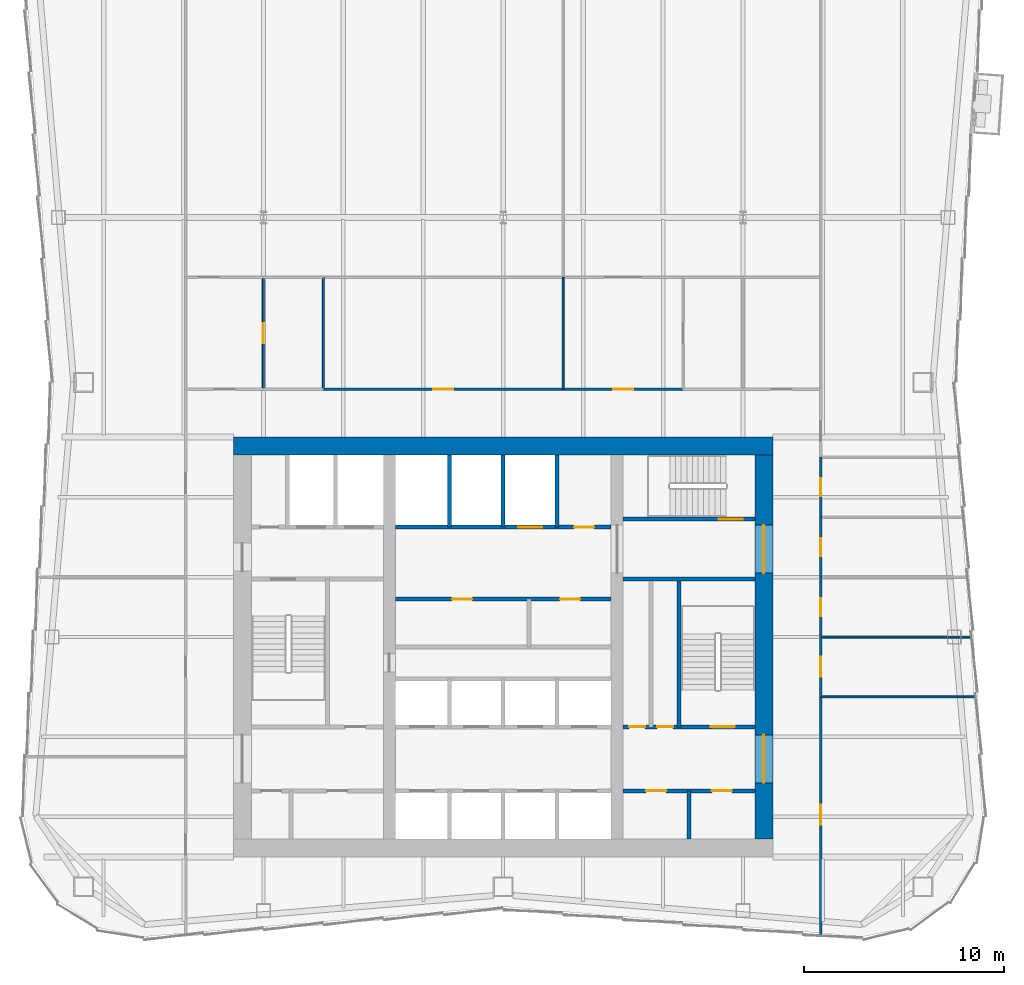
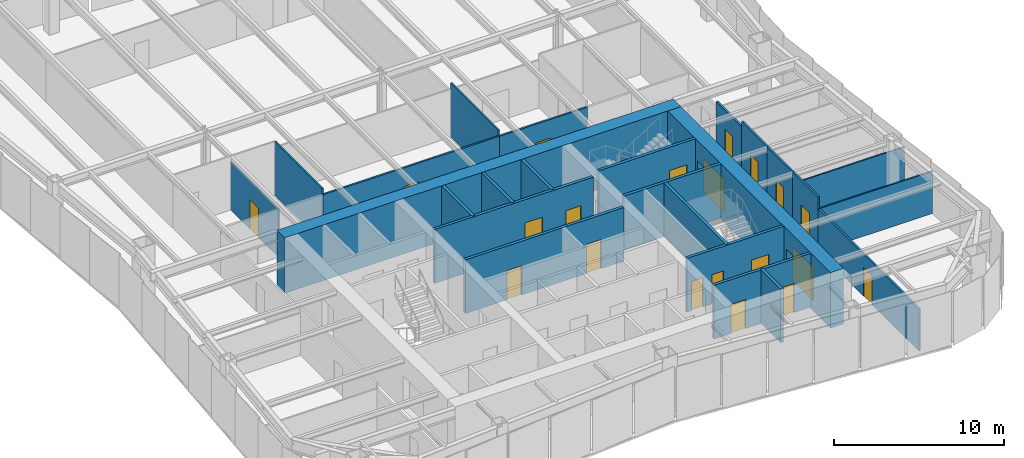
# One storey, part 6 of 10: 25 walls, 20 doors, 20 openings.
"""IFC4 building model written with IfcOpenShell, lengths in metres."""

import ifcopenshell
import ifcopenshell.guid

model = None  # the IFC model being written
_history = None  # IfcOwnerHistory: only IFC2X3 demands one
_inside = {}  # id of a spatial element -> (the spatial element, [elements in it])
_under = {}  # id of a project, library or spatial element -> (it, [spatial elements below it])
_declared = {}  # id of a project -> (the project, [libraries it declares])
_typed = {}  # id of a type object -> (the type object, [elements of that type])
_made_of = {}  # id of a material, layer set ... -> (it, [elements and type objects made of it])


def new_model(schema):
    """Start an empty IFC model of exactly this schema.

    Asked for "IFC4X3", IfcOpenShell would pick the latest addendum, in which some entities
    have other attributes; the version numbers below select the first issue.
    IFC2X3 requires an IfcOwnerHistory on every rooted entity: one is made here for all.
    """
    global model, _history
    if schema == "IFC4X3":
        model = ifcopenshell.file(schema_version=(4, 3, 0, 0))
    else:
        model = ifcopenshell.file(schema=schema)
    _inside.clear()
    _under.clear()
    _declared.clear()
    _typed.clear()
    _made_of.clear()
    _history = None
    if model.schema == "IFC2X3":
        org = make("IfcOrganization", Name="unknown")
        user = make(
            "IfcPersonAndOrganization",
            ThePerson=make("IfcPerson", FamilyName="unknown"),
            TheOrganization=org,
        )
        app = make(
            "IfcApplication",
            ApplicationDeveloper=org,
            Version="unknown",
            ApplicationFullName="unknown",
            ApplicationIdentifier="unknown",
        )
        _history = make(
            "IfcOwnerHistory",
            OwningUser=user,
            OwningApplication=app,
            ChangeAction="ADDED",
            CreationDate=0,
        )
    return model


def make(cls, **values):
    """One entity of the class cls with the attributes given. An attribute that is None is left unset."""
    return model.create_entity(
        cls, **{name: value for name, value in values.items() if value is not None}
    )


def rooted(cls, **values):
    """An entity with a GlobalId (a new one), such as an element, a storey or a relation."""
    return make(cls, GlobalId=ifcopenshell.guid.new(), OwnerHistory=_history, **values)


def si_unit(unit_type, name, prefix=None):
    """IfcSIUnit, for example si_unit("LENGTHUNIT", "METRE", prefix="MILLI")."""
    return make("IfcSIUnit", UnitType=unit_type, Prefix=prefix, Name=name)


def assignment(units):
    """IfcUnitAssignment: the units of a project."""
    return None if units is None else make("IfcUnitAssignment", Units=units)


def point(xyz):
    """IfcCartesianPoint."""
    return None if xyz is None else make("IfcCartesianPoint", Coordinates=xyz)


def direction(xyz):
    """IfcDirection."""
    return None if xyz is None else make("IfcDirection", DirectionRatios=xyz)


def frame(location, z_axis=None, x_axis=None):
    """IfcAxis2Placement3D, a coordinate frame: its origin and axes. An axis left out is left unset."""
    return make(
        "IfcAxis2Placement3D",
        Location=point(location),
        Axis=direction(z_axis),
        RefDirection=direction(x_axis),
    )


def frame_2d(location, x_axis=None):
    """IfcAxis2Placement2D, a coordinate frame in the plane: its origin and x axis."""
    return make(
        "IfcAxis2Placement2D", Location=point(location), RefDirection=direction(x_axis)
    )


def origin():
    """The frame at (0, 0, 0) with its axes left unset."""
    return frame((0.0, 0.0, 0.0))


def place(relative_to, where):
    """IfcLocalPlacement: puts the frame where relative to a parent placement (None: the world)."""
    return make(
        "IfcLocalPlacement", PlacementRelTo=relative_to, RelativePlacement=where
    )


def context(
    kind, dimensions, precision=None, world=None, true_north=None, identifier=None
):
    """IfcGeometricRepresentationContext, for example the 3D "Model" context."""
    return make(
        "IfcGeometricRepresentationContext",
        ContextIdentifier=identifier,
        ContextType=kind,
        CoordinateSpaceDimension=dimensions,
        Precision=precision,
        WorldCoordinateSystem=world,
        TrueNorth=true_north,
    )


def subcontext(parent, identifier, kind, view, scale=None):
    """IfcGeometricRepresentationSubContext, for example "Body" below "Model"."""
    return make(
        "IfcGeometricRepresentationSubContext",
        ContextIdentifier=identifier,
        ContextType=kind,
        ParentContext=parent,
        TargetScale=scale,
        TargetView=view,
    )


def project(units=None, contexts=None):
    """IfcProject with its units and contexts."""
    return rooted(
        "IfcProject",
        Name="project",
        RepresentationContexts=contexts,
        UnitsInContext=assignment(units),
    )


def spatial(cls, under=None, at=None, **own):
    """A site, building, storey or space (cls), placed at a placement, below another one or the project."""
    s = rooted(cls, ObjectPlacement=at, **own)
    if under is not None:
        _under.setdefault(under.id(), (under, []))[1].append(s)
    return s


def profile(cls, at=None, kind="AREA", **sizes):
    """A parametric profile (cls). Its sizes go by their IFC names, for example OverallWidth=200.0."""
    return make(cls, ProfileType=kind, Position=at, **sizes)


def rectangle(**sizes):
    """IfcRectangleProfileDef."""
    return profile("IfcRectangleProfileDef", **sizes)


def extrude(swept, where, along, depth):
    """IfcExtrudedAreaSolid: the profile swept, set in the frame where, extruded along a direction by depth."""
    return make(
        "IfcExtrudedAreaSolid",
        SweptArea=swept,
        Position=where,
        ExtrudedDirection=direction(along),
        Depth=depth,
    )


def shape(context_of_items, identifier, shape_type, items):
    """IfcShapeRepresentation: the items that make up one representation, for example the "Body"."""
    return make(
        "IfcShapeRepresentation",
        ContextOfItems=context_of_items,
        RepresentationIdentifier=identifier,
        RepresentationType=shape_type,
        Items=items,
    )


def material(Name=None, Category=None):
    """IfcMaterial."""
    return make("IfcMaterial", Name=Name, Category=Category)


def layer(
    of_material, thickness, ventilated=None, Name=None, Category=None, Priority=None
):
    """IfcMaterialLayer: one layer of a wall or slab, of a material (None: an air gap)."""
    return make(
        "IfcMaterialLayer",
        Material=of_material,
        LayerThickness=thickness,
        IsVentilated=ventilated,
        Name=Name,
        Category=Category,
        Priority=Priority,
    )


def layer_set(layers, Name=None):
    """IfcMaterialLayerSet."""
    return make("IfcMaterialLayerSet", MaterialLayers=layers, LayerSetName=Name)


def made_of(thing, what):
    """Note that an element or type object is made of a material, layer set ...; save() writes the relation."""
    if what is not None:
        _made_of.setdefault(what.id(), (what, []))[1].append(thing)
    return thing


def type_object(cls, material=None, **own):
    """A type object (cls), such as IfcWallType, which elements share."""
    return made_of(rooted(cls, **own), material)


def element(
    cls,
    number,
    at=None,
    inside=None,
    cuts=None,
    type_object=None,
    material=None,
    context=None,
    identifier="Body",
    shape_type=None,
    held_by="IfcProductDefinitionShape",
    body=None,
    shapes=None,
    **own,
):
    """One element of the class cls, such as IfcWall. Its Tag is "e" and its number.

    at: its placement. inside: the storey or other place that contains it. cuts: it is an
    opening in that element (IfcRelVoidsElement). A single representation is given by context,
    identifier, shape_type and body (its items); several are given by shapes. held_by: the class
    of the entity that holds the representations. save() writes the other relations.
    """
    e = rooted(cls, Tag="e%d" % number, ObjectPlacement=at, **own)
    if body is not None:
        shapes = [shape(context, identifier, shape_type, body)]
    if shapes is not None:
        e.Representation = make(held_by, Representations=shapes)
    if inside is not None:
        _inside.setdefault(inside.id(), (inside, []))[1].append(e)
    if cuts is not None:
        rooted(
            "IfcRelVoidsElement", RelatingBuildingElement=cuts, RelatedOpeningElement=e
        )
    if type_object is not None:
        _typed.setdefault(type_object.id(), (type_object, []))[1].append(e)
    return made_of(e, material)


def fill(opening, filler):
    """IfcRelFillsElement: the door or window that sits in an opening."""
    return rooted(
        "IfcRelFillsElement",
        RelatingOpeningElement=opening,
        RelatedBuildingElement=filler,
    )


def aggregate(whole, parts):
    """IfcRelAggregates: a whole, such as a stair, and the parts it consists of."""
    return rooted("IfcRelAggregates", RelatingObject=whole, RelatedObjects=parts)


def save(model, path):
    """Write the relations noted so far, then the file.

    IfcRelAggregates (storeys below a building ...), IfcRelContainedInSpatialStructure (elements
    in a storey), IfcRelDefinesByType, IfcRelAssociatesMaterial and IfcRelDeclares: one each for
    every whole, place, type object, material and project.
    """
    for whole, parts in _under.values():
        aggregate(whole, parts)
    for where, things in _inside.values():
        rooted(
            "IfcRelContainedInSpatialStructure",
            RelatedElements=things,
            RelatingStructure=where,
        )
    for kind, things in _typed.values():
        rooted("IfcRelDefinesByType", RelatedObjects=things, RelatingType=kind)
    for what, things in _made_of.values():
        rooted("IfcRelAssociatesMaterial", RelatedObjects=things, RelatingMaterial=what)
    for by, libraries in _declared.values():
        rooted("IfcRelDeclares", RelatingContext=by, RelatedDefinitions=libraries)
    model.write(path)


model = new_model("IFC4")

# Units and contexts
model_context = context("Model", 3, precision=1e-05, world=origin(), true_north=direction((0.0, 1.0)))
body_context = subcontext(model_context, "Body", "Model", "MODEL_VIEW")
ifc_project = project(units=[si_unit("LENGTHUNIT", "METRE"), si_unit("AREAUNIT", "SQUARE_METRE"), si_unit("VOLUMEUNIT", "CUBIC_METRE"), si_unit("PLANEANGLEUNIT", "RADIAN"), si_unit("MASSUNIT", "GRAM", prefix="KILO")], contexts=[model_context])

# Site, building, storey
site_placement = place(None, origin())
site = spatial("IfcSite", under=ifc_project, at=site_placement, CompositionType="ELEMENT")
building_placement = place(site_placement, origin())
building = spatial("IfcBuilding", under=site, at=building_placement, Name="Verdant Reach Tower", CompositionType="ELEMENT")
storey_placement = place(building_placement, frame((0.0, 0.0, 210.0)))
storey = spatial("IfcBuildingStorey", under=building, at=storey_placement, Name="L48", CompositionType="ELEMENT", Elevation=210.0)

# Wall, openings, doors
ifc_material_1 = material(Name="Gypsum board on steel studs", Category="steel")
ifc_layer_1 = layer(ifc_material_1, 0.199951171875)
ifc_layer_set_1 = layer_set([ifc_layer_1], Name="CO-WALL-ROOM")
wall_type_1 = type_object("IfcWallType", Name="CO-WALL-ROOM", PredefinedType="PARTITIONING", material=ifc_layer_set_1)
wall_1_placement = place(storey_placement, frame((6.0, 20.800048828125, 0.0), z_axis=(0.0, 0.0, 1.0), x_axis=(1.0, 0.0, 0.0)))
wall_1 = element("IfcWall", 1, at=wall_1_placement, inside=storey, type_object=wall_type_1, Name="Core partition, L48", PredefinedType="PARTITIONING", context=body_context, shape_type="SweptSolid", body=[
    extrude(rectangle(XDim=6.60009765625, YDim=0.199951171875, at=frame_2d((3.300048828125, 0.0))), origin(), (0.0, 0.0, 1.0), 3.8701171875),
])
opening_1_placement = place(wall_1_placement, frame((1.14990234375, 0.0, 0.0)))
opening_1 = element("IfcOpeningElement", 2, at=opening_1_placement, cuts=wall_1, Name="Opening CD", PredefinedType="OPENING", context=body_context, shape_type="SweptSolid", body=[
    extrude(rectangle(XDim=1.0, YDim=2.10009765625, at=frame_2d((0.5, 1.050048828125))), frame((0.0, 0.10986328125, 0.0), z_axis=(0.0, -1.0, 0.0), x_axis=(1.0, 0.0, 0.0)), (0.0, 0.0, 1.0), 0.219970703125),
])
opening_2_placement = place(wall_1_placement, frame((4.449951171875, 0.0, 0.0)))
opening_2 = element("IfcOpeningElement", 3, at=opening_2_placement, cuts=wall_1, Name="Opening CD", PredefinedType="OPENING", context=body_context, shape_type="SweptSolid", body=[
    extrude(rectangle(XDim=1.0, YDim=2.10009765625, at=frame_2d((0.5, 1.050048828125))), frame((0.0, 0.10986328125, 0.0), z_axis=(0.0, -1.0, 0.0), x_axis=(1.0, 0.0, 0.0)), (0.0, 0.0, 1.0), 0.219970703125),
])
ifc_material_2 = material(Name="Timber", Category="wood")
door_type_1 = type_object("IfcDoorType", Name="CO-DOOR-ROOM", OperationType="NOTDEFINED", PredefinedType="DOOR", material=ifc_material_2)
door_1_placement = place(opening_1_placement, origin())
door_1 = element("IfcDoor", 4, at=door_1_placement, inside=storey, type_object=door_type_1, Name="Core room door, L48", OperationType="SINGLE_SWING_LEFT", OverallHeight=2.10009765625, OverallWidth=1.0, PredefinedType="DOOR", context=body_context, shape_type="SweptSolid", body=[
    extrude(rectangle(XDim=1.0, YDim=2.10009765625, at=frame_2d((0.5, 1.050048828125))), frame((0.0, 0.02490234375, 0.0), z_axis=(0.0, -1.0, 0.0), x_axis=(1.0, 0.0, 0.0)), (0.0, 0.0, 1.0), 0.050048828125),
])
fill(opening_1, door_1)
door_2_placement = place(opening_2_placement, origin())
door_2 = element("IfcDoor", 5, at=door_2_placement, inside=storey, type_object=door_type_1, Name="Core room door, L48", OperationType="SINGLE_SWING_LEFT", OverallHeight=2.10009765625, OverallWidth=1.0, PredefinedType="DOOR", context=body_context, shape_type="SweptSolid", body=[
    extrude(rectangle(XDim=1.0, YDim=2.10009765625, at=frame_2d((0.5, 1.050048828125))), frame((0.0, 0.02490234375, 0.0), z_axis=(0.0, -1.0, 0.0), x_axis=(1.0, 0.0, 0.0)), (0.0, 0.0, 1.0), 0.050048828125),
])
fill(opening_2, door_2)

wall_2_placement = place(storey_placement, frame((-5.39990234375, 30.39990234375, 0.0), z_axis=(0.0, 0.0, 1.0), x_axis=(1.0, 0.0, 0.0)))
wall_2 = element("IfcWall", 6, at=wall_2_placement, inside=storey, type_object=wall_type_1, Name="Core partition, L48", PredefinedType="PARTITIONING", context=body_context, shape_type="SweptSolid", body=[
    extrude(rectangle(XDim=10.7998046875, YDim=0.199951171875, at=frame_2d((5.39990234375, 0.0))), origin(), (0.0, 0.0, 1.0), 3.8701171875),
])
opening_3_placement = place(wall_2_placement, frame((2.847900390625, 0.0, 0.0)))
opening_3 = element("IfcOpeningElement", 7, at=opening_3_placement, cuts=wall_2, Name="Opening CD", PredefinedType="OPENING", context=body_context, shape_type="SweptSolid", body=[
    extrude(rectangle(XDim=1.0, YDim=2.10009765625, at=frame_2d((0.5, 1.050048828125))), frame((0.0, 0.10986328125, 0.0), z_axis=(0.0, -1.0, 0.0), x_axis=(1.0, 0.0, 0.0)), (0.0, 0.0, 1.0), 0.219970703125),
])
opening_4_placement = place(wall_2_placement, frame((8.248046875, 0.0, 0.0)))
opening_4 = element("IfcOpeningElement", 8, at=opening_4_placement, cuts=wall_2, Name="Opening CD", PredefinedType="OPENING", context=body_context, shape_type="SweptSolid", body=[
    extrude(rectangle(XDim=1.0, YDim=2.10009765625, at=frame_2d((0.5, 1.050048828125))), frame((0.0, 0.10986328125, 0.0), z_axis=(0.0, -1.0, 0.0), x_axis=(1.0, 0.0, 0.0)), (0.0, 0.0, 1.0), 0.219970703125),
])
door_3_placement = place(opening_3_placement, origin())
door_3 = element("IfcDoor", 9, at=door_3_placement, inside=storey, type_object=door_type_1, Name="Core room door, L48", OperationType="SINGLE_SWING_LEFT", OverallHeight=2.10009765625, OverallWidth=1.0, PredefinedType="DOOR", context=body_context, shape_type="SweptSolid", body=[
    extrude(rectangle(XDim=1.0, YDim=2.10009765625, at=frame_2d((0.5, 1.050048828125))), frame((0.0, 0.02490234375, 0.0), z_axis=(0.0, -1.0, 0.0), x_axis=(1.0, 0.0, 0.0)), (0.0, 0.0, 1.0), 0.050048828125),
])
fill(opening_3, door_3)
door_4_placement = place(opening_4_placement, origin())
door_4 = element("IfcDoor", 10, at=door_4_placement, inside=storey, type_object=door_type_1, Name="Core room door, L48", OperationType="SINGLE_SWING_RIGHT", OverallHeight=2.10009765625, OverallWidth=1.0, PredefinedType="DOOR", context=body_context, shape_type="SweptSolid", body=[
    extrude(rectangle(XDim=1.0, YDim=2.10009765625, at=frame_2d((0.5, 1.050048828125))), frame((0.0, 0.02490234375, 0.0), z_axis=(0.0, -1.0, 0.0), x_axis=(1.0, 0.0, 0.0)), (0.0, 0.0, 1.0), 0.050048828125),
])
fill(opening_4, door_4)

# Wall
wall_3_placement = place(storey_placement, frame((9.300048828125, 18.39990234375, 0.0), z_axis=(0.0, 0.0, 1.0), x_axis=(0.0, 1.0, 0.0)))
element("IfcWall", 11, at=wall_3_placement, inside=storey, type_object=wall_type_1, Name="Core partition, L48", PredefinedType="PARTITIONING", context=body_context, shape_type="SweptSolid", body=[
    extrude(rectangle(XDim=2.400146484375, YDim=0.199951171875, at=frame_2d((1.2001953125, 0.0))), origin(), (0.0, 0.0, 1.0), 3.8701171875),
])

# Wall, openings, doors
ifc_material_3 = material(Name="Concrete C40/50", Category="concrete")
ifc_layer_2 = layer(ifc_material_3, 0.199951171875)
ifc_layer_set_2 = layer_set([ifc_layer_2], Name="CO-WALL-SHAFT")
wall_type_2 = type_object("IfcWallType", Name="CO-WALL-SHAFT", PredefinedType="PARTITIONING", material=ifc_layer_set_2)
wall_4_placement = place(storey_placement, frame((-5.39990234375, 34.0, 0.0), z_axis=(0.0, 0.0, 1.0), x_axis=(1.0, 0.0, 0.0)))
wall_4 = element("IfcWall", 12, at=wall_4_placement, inside=storey, type_object=wall_type_2, Name="Lift shaft wall, L48", PredefinedType="PARTITIONING", context=body_context, shape_type="SweptSolid", body=[
    extrude(rectangle(XDim=10.7998046875, YDim=0.199951171875, at=frame_2d((5.39990234375, 0.0))), origin(), (0.0, 0.0, 1.0), 3.8701171875),
])
opening_5_placement = place(wall_4_placement, frame((6.14990234375, 0.0, 0.0)))
opening_5 = element("IfcOpeningElement", 13, at=opening_5_placement, cuts=wall_4, Name="Opening LD-SL1", PredefinedType="OPENING", context=body_context, shape_type="SweptSolid", body=[
    extrude(rectangle(XDim=1.199951171875, YDim=2.199951171875, at=frame_2d((0.60009765625, 1.10009765625))), frame((0.0, 0.10986328125, 0.0), z_axis=(0.0, -1.0, 0.0), x_axis=(1.0, 0.0, 0.0)), (0.0, 0.0, 1.0), 0.219970703125),
])
opening_6_placement = place(wall_4_placement, frame((8.949951171875, 0.0, 0.0)))
opening_6 = element("IfcOpeningElement", 14, at=opening_6_placement, cuts=wall_4, Name="Opening CD", PredefinedType="OPENING", context=body_context, shape_type="SweptSolid", body=[
    extrude(rectangle(XDim=1.0, YDim=2.10009765625, at=frame_2d((0.5, 1.050048828125))), frame((0.0, 0.10986328125, 0.0), z_axis=(0.0, -1.0, 0.0), x_axis=(1.0, 0.0, 0.0)), (0.0, 0.0, 1.0), 0.219970703125),
])
ifc_material_4 = material(Name="Stainless steel", Category="steel")
door_type_2 = type_object("IfcDoorType", Name="CO-DOOR-LANDING", OperationType="SLIDING_TO_LEFT", PredefinedType="DOOR", material=ifc_material_4)
door_5_placement = place(opening_5_placement, origin())
door_5 = element("IfcDoor", 15, at=door_5_placement, inside=storey, type_object=door_type_2, Name="Landing door SL1, L48", OperationType="SLIDING_TO_LEFT", OverallHeight=2.199951171875, OverallWidth=1.199951171875, PredefinedType="DOOR", context=body_context, shape_type="SweptSolid", body=[
    extrude(rectangle(XDim=1.199951171875, YDim=2.199951171875, at=frame_2d((0.60009765625, 1.10009765625))), frame((0.0, 0.02490234375, 0.0), z_axis=(0.0, -1.0, 0.0), x_axis=(1.0, 0.0, 0.0)), (0.0, 0.0, 1.0), 0.050048828125),
])
fill(opening_5, door_5)
door_6_placement = place(opening_6_placement, origin())
door_6 = element("IfcDoor", 16, at=door_6_placement, inside=storey, type_object=door_type_1, Name="Core room door, L48", OperationType="SINGLE_SWING_LEFT", OverallHeight=2.10009765625, OverallWidth=1.0, PredefinedType="DOOR", context=body_context, shape_type="SweptSolid", body=[
    extrude(rectangle(XDim=1.0, YDim=2.10009765625, at=frame_2d((0.5, 1.050048828125))), frame((0.0, 0.02490234375, 0.0), z_axis=(0.0, -1.0, 0.0), x_axis=(1.0, 0.0, 0.0)), (0.0, 0.0, 1.0), 0.050048828125),
])
fill(opening_6, door_6)

# Walls
for number, where, z_axis, x_axis, name in (
    (17, (-2.699951171875, 34.0, 0.0), (0.0, 0.0, 1.0), (0.0, 1.0, 0.0), "Lift shaft wall, L48"),
    (18, (0.0, 34.0, 0.0), (0.0, 0.0, 1.0), (0.0, 1.0, 0.0), "Lift shaft wall, L48"),
    (19, (2.699951171875, 34.0, 0.0), (0.0, 0.0, 1.0), (0.0, 1.0, 0.0), "Lift shaft wall, L48"),
):
    element("IfcWall", number, at=place(storey_placement, frame(where, z_axis=z_axis, x_axis=x_axis)), inside=storey, type_object=wall_type_2, Name=name, PredefinedType="PARTITIONING", context=body_context, shape_type="SweptSolid", body=[
        extrude(rectangle(XDim=3.60009765625, YDim=0.199951171875, at=frame_2d((1.800048828125, 0.0))), origin(), (0.0, 0.0, 1.0), 3.8701171875),
    ])

# Wall, openings, doors
ifc_layer_3 = layer(ifc_material_3, 0.199951171875)
ifc_layer_set_3 = layer_set([ifc_layer_3], Name="CO-WALL-STAIR")
wall_type_3 = type_object("IfcWallType", Name="CO-WALL-STAIR", PredefinedType="PARTITIONING", material=ifc_layer_set_3)
wall_5_placement = place(storey_placement, frame((6.0, 24.0, 0.0), z_axis=(0.0, 0.0, 1.0), x_axis=(1.0, 0.0, 0.0)))
wall_5 = element("IfcWall", 20, at=wall_5_placement, inside=storey, type_object=wall_type_3, Name="Stair enclosure wall, L48", PredefinedType="PARTITIONING", context=body_context, shape_type="SweptSolid", body=[
    extrude(rectangle(XDim=6.60009765625, YDim=0.199951171875, at=frame_2d((3.300048828125, 0.0))), origin(), (0.0, 0.0, 1.0), 3.8701171875),
])
opening_7_placement = place(wall_5_placement, frame((0.300048828125, 0.0, 0.0)))
opening_7 = element("IfcOpeningElement", 21, at=opening_7_placement, cuts=wall_5, Name="Opening CDN", PredefinedType="OPENING", context=body_context, shape_type="SweptSolid", body=[
    extrude(rectangle(XDim=0.800048828125, YDim=2.10009765625, at=frame_2d((0.39990234375, 1.050048828125))), frame((0.0, 0.10986328125, 0.0), z_axis=(0.0, -1.0, 0.0), x_axis=(1.0, 0.0, 0.0)), (0.0, 0.0, 1.0), 0.219970703125),
])
opening_8_placement = place(wall_5_placement, frame((1.699951171875, 0.0, 0.0)))
opening_8 = element("IfcOpeningElement", 22, at=opening_8_placement, cuts=wall_5, Name="Opening CDN", PredefinedType="OPENING", context=body_context, shape_type="SweptSolid", body=[
    extrude(rectangle(XDim=0.800048828125, YDim=2.10009765625, at=frame_2d((0.39990234375, 1.050048828125))), frame((0.0, 0.10986328125, 0.0), z_axis=(0.0, -1.0, 0.0), x_axis=(1.0, 0.0, 0.0)), (0.0, 0.0, 1.0), 0.219970703125),
])
opening_9_placement = place(wall_5_placement, frame((4.39990234375, 0.0, 0.0)))
opening_9 = element("IfcOpeningElement", 23, at=opening_9_placement, cuts=wall_5, Name="Opening SD", PredefinedType="OPENING", context=body_context, shape_type="SweptSolid", body=[
    extrude(rectangle(XDim=1.199951171875, YDim=2.199951171875, at=frame_2d((0.60009765625, 1.10009765625))), frame((0.0, 0.10986328125, 0.0), z_axis=(0.0, -1.0, 0.0), x_axis=(1.0, 0.0, 0.0)), (0.0, 0.0, 1.0), 0.219970703125),
])
door_type_3 = type_object("IfcDoorType", Name="CO-DOOR-ROOM-NARROW", OperationType="NOTDEFINED", PredefinedType="DOOR", material=ifc_material_2)
door_7_placement = place(opening_7_placement, origin())
door_7 = element("IfcDoor", 24, at=door_7_placement, inside=storey, type_object=door_type_3, Name="Core room door, L48", OperationType="SINGLE_SWING_RIGHT", OverallHeight=2.10009765625, OverallWidth=0.800048828125, PredefinedType="DOOR", context=body_context, shape_type="SweptSolid", body=[
    extrude(rectangle(XDim=0.800048828125, YDim=2.10009765625, at=frame_2d((0.39990234375, 1.050048828125))), frame((0.0, 0.02490234375, 0.0), z_axis=(0.0, -1.0, 0.0), x_axis=(1.0, 0.0, 0.0)), (0.0, 0.0, 1.0), 0.050048828125),
])
fill(opening_7, door_7)
door_8_placement = place(opening_8_placement, origin())
door_8 = element("IfcDoor", 25, at=door_8_placement, inside=storey, type_object=door_type_3, Name="Core room door, L48", OperationType="SINGLE_SWING_LEFT", OverallHeight=2.10009765625, OverallWidth=0.800048828125, PredefinedType="DOOR", context=body_context, shape_type="SweptSolid", body=[
    extrude(rectangle(XDim=0.800048828125, YDim=2.10009765625, at=frame_2d((0.39990234375, 1.050048828125))), frame((0.0, 0.02490234375, 0.0), z_axis=(0.0, -1.0, 0.0), x_axis=(1.0, 0.0, 0.0)), (0.0, 0.0, 1.0), 0.050048828125),
])
fill(opening_8, door_8)
ifc_material_5 = material(Name="Steel", Category="steel")
door_type_4 = type_object("IfcDoorType", Name="CO-DOOR-STAIR", OperationType="NOTDEFINED", PredefinedType="DOOR", material=ifc_material_5)
door_9_placement = place(opening_9_placement, origin())
door_9 = element("IfcDoor", 26, at=door_9_placement, inside=storey, type_object=door_type_4, Name="Stair door, L48", OperationType="SINGLE_SWING_RIGHT", OverallHeight=2.199951171875, OverallWidth=1.199951171875, PredefinedType="DOOR", context=body_context, shape_type="SweptSolid", body=[
    extrude(rectangle(XDim=1.199951171875, YDim=2.199951171875, at=frame_2d((0.60009765625, 1.10009765625))), frame((0.0, 0.02490234375, 0.0), z_axis=(0.0, -1.0, 0.0), x_axis=(1.0, 0.0, 0.0)), (0.0, 0.0, 1.0), 0.050048828125),
])
fill(opening_9, door_9)

# Wall
wall_6_placement = place(storey_placement, frame((6.0, 31.39990234375, 0.0), z_axis=(0.0, 0.0, 1.0), x_axis=(1.0, 0.0, 0.0)))
element("IfcWall", 27, at=wall_6_placement, inside=storey, type_object=wall_type_3, Name="Stair enclosure wall, L48", PredefinedType="PARTITIONING", context=body_context, shape_type="SweptSolid", body=[
    extrude(rectangle(XDim=6.60009765625, YDim=0.199951171875, at=frame_2d((3.300048828125, 0.0))), origin(), (0.0, 0.0, 1.0), 3.8701171875),
])

# Wall, opening, door
wall_7_placement = place(storey_placement, frame((6.0, 34.39990234375, 0.0), z_axis=(0.0, 0.0, 1.0), x_axis=(1.0, 0.0, 0.0)))
wall_7 = element("IfcWall", 28, at=wall_7_placement, inside=storey, type_object=wall_type_3, Name="Stair enclosure wall, L48", PredefinedType="PARTITIONING", context=body_context, shape_type="SweptSolid", body=[
    extrude(rectangle(XDim=6.60009765625, YDim=0.199951171875, at=frame_2d((3.300048828125, 0.0))), origin(), (0.0, 0.0, 1.0), 3.8701171875),
])
opening_10_placement = place(wall_7_placement, frame((4.800048828125, 0.0, 0.0)))
opening_10 = element("IfcOpeningElement", 29, at=opening_10_placement, cuts=wall_7, Name="Opening SD", PredefinedType="OPENING", context=body_context, shape_type="SweptSolid", body=[
    extrude(rectangle(XDim=1.199951171875, YDim=2.199951171875, at=frame_2d((0.60009765625, 1.10009765625))), frame((0.0, 0.10986328125, 0.0), z_axis=(0.0, -1.0, 0.0), x_axis=(1.0, 0.0, 0.0)), (0.0, 0.0, 1.0), 0.219970703125),
])
door_10_placement = place(opening_10_placement, origin())
door_10 = element("IfcDoor", 30, at=door_10_placement, inside=storey, type_object=door_type_4, Name="Stair door, L48", OperationType="SINGLE_SWING_LEFT", OverallHeight=2.199951171875, OverallWidth=1.199951171875, PredefinedType="DOOR", context=body_context, shape_type="SweptSolid", body=[
    extrude(rectangle(XDim=1.199951171875, YDim=2.199951171875, at=frame_2d((0.60009765625, 1.10009765625))), frame((0.0, 0.02490234375, 0.0), z_axis=(0.0, -1.0, 0.0), x_axis=(1.0, 0.0, 0.0)), (0.0, 0.0, 1.0), 0.050048828125),
])
fill(opening_10, door_10)

# Wall
wall_8_placement = place(storey_placement, frame((8.800048828125, 24.0, 0.0), z_axis=(0.0, 0.0, 1.0), x_axis=(0.0, 1.0, 0.0)))
element("IfcWall", 31, at=wall_8_placement, inside=storey, type_object=wall_type_3, Name="Stair enclosure wall, L48", PredefinedType="PARTITIONING", context=body_context, shape_type="SweptSolid", body=[
    extrude(rectangle(XDim=7.39990234375, YDim=0.199951171875, at=frame_2d((3.699951171875, 0.0))), origin(), (0.0, 0.0, 1.0), 3.8701171875),
])

# Wall, opening, door
ifc_layer_4 = layer(ifc_material_1, 0.10009765625)
ifc_layer_set_4 = layer_set([ifc_layer_4], Name="FL-W1 Partition 100")
wall_type_4 = type_object("IfcWallType", Name="FL-W1 Partition 100", PredefinedType="PARTITIONING", material=ifc_layer_set_4)
wall_9_placement = place(storey_placement, frame((-12.0, 46.5, 0.0), z_axis=(0.0, 0.0, 1.0), x_axis=(0.0, -1.0, 0.0)))
wall_9 = element("IfcWall", 32, at=wall_9_placement, inside=storey, type_object=wall_type_4, Name="Partition 48.16", PredefinedType="PARTITIONING", context=body_context, shape_type="SweptSolid", body=[
    extrude(rectangle(XDim=5.60009765625, YDim=0.10009765625, at=frame_2d((2.800048828125, 0.0))), origin(), (0.0, 0.0, 1.0), 3.43994140625),
])
opening_11_placement = place(wall_9_placement, frame((2.300048828125, 0.0, 0.0)))
opening_11 = element("IfcOpeningElement", 33, at=opening_11_placement, cuts=wall_9, Name="Opening D3", PredefinedType="OPENING", context=body_context, shape_type="SweptSolid", body=[
    extrude(rectangle(XDim=1.0, YDim=2.10009765625, at=frame_2d((0.5, 1.050048828125))), frame((0.0, 0.06005859375, 0.0), z_axis=(0.0, -1.0, 0.0), x_axis=(1.0, 0.0, 0.0)), (0.0, 0.0, 1.0), 0.1201171875),
])
ifc_material_6 = material(Name="Painted timber door leaf", Category="wood")
door_type_5 = type_object("IfcDoorType", Name="FL-D3 Door 1000x2100", OperationType="NOTDEFINED", PredefinedType="DOOR", material=ifc_material_6)
door_11_placement = place(opening_11_placement, origin())
door_11 = element("IfcDoor", 34, at=door_11_placement, inside=storey, type_object=door_type_5, Name="Door 48-014", OperationType="SINGLE_SWING_RIGHT", OverallHeight=2.10009765625, OverallWidth=1.0, PredefinedType="DOOR", context=body_context, shape_type="SweptSolid", body=[
    extrude(rectangle(XDim=1.0, YDim=2.10009765625, at=frame_2d((0.5, 1.050048828125))), frame((0.0, 0.02490234375, 0.0), z_axis=(0.0, -1.0, 0.0), x_axis=(1.0, 0.0, 0.0)), (0.0, 0.0, 1.0), 0.050048828125),
])
fill(opening_11, door_11)

# Walls
for number, where, z_axis, x_axis, name in (
    (35, (-9.0, 40.89990234375, 0.0), (0.0, 0.0, 1.0), (0.0, 1.0, 0.0), "Partition 48.19"),
    (36, (3.0, 40.89990234375, 0.0), (0.0, 0.0, 1.0), (0.0, 1.0, 0.0), "Partition 48.22"),
):
    element("IfcWall", number, at=place(storey_placement, frame(where, z_axis=z_axis, x_axis=x_axis)), inside=storey, type_object=wall_type_4, Name=name, PredefinedType="PARTITIONING", context=body_context, shape_type="SweptSolid", body=[
        extrude(rectangle(XDim=5.60009765625, YDim=0.10009765625, at=frame_2d((2.800048828125, 0.0))), origin(), (0.0, 0.0, 1.0), 3.8701171875),
    ])
wall_10_placement = place(storey_placement, frame((23.666259765625, 25.5, 0.0), z_axis=(0.0, 0.0, 1.0), x_axis=(-1.0, 0.0, 0.0)))
element("IfcWall", 37, at=wall_10_placement, inside=storey, type_object=wall_type_4, Name="Partition 48.42", PredefinedType="PARTITIONING", context=body_context, shape_type="SweptSolid", body=[
    extrude(rectangle(XDim=7.766357421875, YDim=0.10009765625, at=frame_2d((3.88330078125, 0.0))), origin(), (0.0, 0.0, 1.0), 3.0400390625),
])
wall_11_placement = place(storey_placement, frame((23.459228515625, 28.5, 0.0), z_axis=(0.0, 0.0, 1.0), x_axis=(-1.0, 0.0, 0.0)))
element("IfcWall", 38, at=wall_11_placement, inside=storey, type_object=wall_type_4, Name="Partition 48.43", PredefinedType="PARTITIONING", context=body_context, shape_type="SweptSolid", body=[
    extrude(rectangle(XDim=7.559326171875, YDim=0.10009765625, at=frame_2d((3.77978515625, 0.0))), origin(), (0.0, 0.0, 1.0), 3.0400390625),
])

# Wall, opening, door
ifc_material_7 = material(Name="Gypsum board on steel studs, fire rated", Category="steel")
ifc_layer_5 = layer(ifc_material_7, 0.125)
ifc_layer_set_5 = layer_set([ifc_layer_5], Name="FL-W2 Corridor wall 125")
wall_type_5 = type_object("IfcWallType", Name="FL-W2 Corridor wall 125", PredefinedType="PARTITIONING", material=ifc_layer_set_5)
wall_12_placement = place(storey_placement, frame((-9.0, 40.89990234375, 0.0), z_axis=(0.0, 0.0, 1.0), x_axis=(1.0, 0.0, 0.0)))
wall_12 = element("IfcWall", 39, at=wall_12_placement, inside=storey, type_object=wall_type_5, Name="Partition 48.03", PredefinedType="PARTITIONING", context=body_context, shape_type="SweptSolid", body=[
    extrude(rectangle(XDim=12.0, YDim=0.125, at=frame_2d((6.0, 0.0))), origin(), (0.0, 0.0, 1.0), 3.43994140625),
])
opening_12_placement = place(wall_12_placement, frame((5.5, 0.0, 0.0)))
opening_12 = element("IfcOpeningElement", 40, at=opening_12_placement, cuts=wall_12, Name="Opening D2", PredefinedType="OPENING", context=body_context, shape_type="SweptSolid", body=[
    extrude(rectangle(XDim=1.0, YDim=2.10009765625, at=frame_2d((0.5, 1.050048828125))), frame((0.0, 0.072509765625, 0.0), z_axis=(0.0, -1.0, 0.0), x_axis=(1.0, 0.0, 0.0)), (0.0, 0.0, 1.0), 0.14501953125),
])
ifc_material_8 = material(Name="Timber door leaf, fire rated", Category="wood")
door_type_6 = type_object("IfcDoorType", Name="FL-D2 Entrance door 1000x2100 FD30", OperationType="NOTDEFINED", PredefinedType="DOOR", material=ifc_material_8)
door_12_placement = place(opening_12_placement, origin())
door_12 = element("IfcDoor", 41, at=door_12_placement, inside=storey, type_object=door_type_6, Name="Door 48-002", OperationType="SINGLE_SWING_RIGHT", OverallHeight=2.10009765625, OverallWidth=1.0, PredefinedType="DOOR", context=body_context, shape_type="SweptSolid", body=[
    extrude(rectangle(XDim=1.0, YDim=2.10009765625, at=frame_2d((0.5, 1.050048828125))), frame((0.0, 0.02490234375, 0.0), z_axis=(0.0, -1.0, 0.0), x_axis=(1.0, 0.0, 0.0)), (0.0, 0.0, 1.0), 0.050048828125),
])
fill(opening_12, door_12)

wall_13_placement = place(storey_placement, frame((3.0, 40.89990234375, 0.0), z_axis=(0.0, 0.0, 1.0), x_axis=(1.0, 0.0, 0.0)))
wall_13 = element("IfcWall", 42, at=wall_13_placement, inside=storey, type_object=wall_type_5, Name="Partition 48.04", PredefinedType="PARTITIONING", context=body_context, shape_type="SweptSolid", body=[
    extrude(rectangle(XDim=6.0, YDim=0.125, at=frame_2d((3.0, 0.0))), origin(), (0.0, 0.0, 1.0), 3.43994140625),
])
opening_13_placement = place(wall_13_placement, frame((2.5, 0.0, 0.0)))
opening_13 = element("IfcOpeningElement", 43, at=opening_13_placement, cuts=wall_13, Name="Opening D2", PredefinedType="OPENING", context=body_context, shape_type="SweptSolid", body=[
    extrude(rectangle(XDim=1.0, YDim=2.10009765625, at=frame_2d((0.5, 1.050048828125))), frame((0.0, 0.072509765625, 0.0), z_axis=(0.0, -1.0, 0.0), x_axis=(1.0, 0.0, 0.0)), (0.0, 0.0, 1.0), 0.14501953125),
])
door_13_placement = place(opening_13_placement, origin())
door_13 = element("IfcDoor", 44, at=door_13_placement, inside=storey, type_object=door_type_6, Name="Door 48-003", OperationType="SINGLE_SWING_LEFT", OverallHeight=2.10009765625, OverallWidth=1.0, PredefinedType="DOOR", context=body_context, shape_type="SweptSolid", body=[
    extrude(rectangle(XDim=1.0, YDim=2.10009765625, at=frame_2d((0.5, 1.050048828125))), frame((0.0, 0.02490234375, 0.0), z_axis=(0.0, -1.0, 0.0), x_axis=(1.0, 0.0, 0.0)), (0.0, 0.0, 1.0), 0.050048828125),
])
fill(opening_13, door_13)

wall_14_placement = place(storey_placement, frame((15.89990234375, 25.5, 0.0), z_axis=(0.0, 0.0, 1.0), x_axis=(0.0, -1.0, 0.0)))
wall_14 = element("IfcWall", 45, at=wall_14_placement, inside=storey, type_object=wall_type_5, Name="Partition 48.10", PredefinedType="PARTITIONING", context=body_context, shape_type="SweptSolid", body=[
    extrude(rectangle(XDim=11.905029296875, YDim=0.125, at=frame_2d((5.95263671875, 0.0))), origin(), (0.0, 0.0, 1.0), 3.0400390625),
])
opening_14_placement = place(wall_14_placement, frame((5.387451171875, 0.0, 0.0)))
opening_14 = element("IfcOpeningElement", 46, at=opening_14_placement, cuts=wall_14, Name="Opening D2", PredefinedType="OPENING", context=body_context, shape_type="SweptSolid", body=[
    extrude(rectangle(XDim=1.0, YDim=2.10009765625, at=frame_2d((0.5, 1.050048828125))), frame((0.0, 0.072509765625, 0.0), z_axis=(0.0, -1.0, 0.0), x_axis=(1.0, 0.0, 0.0)), (0.0, 0.0, 1.0), 0.14501953125),
])
door_14_placement = place(opening_14_placement, origin())
door_14 = element("IfcDoor", 47, at=door_14_placement, inside=storey, type_object=door_type_6, Name="Door 48-008", OperationType="SINGLE_SWING_LEFT", OverallHeight=2.10009765625, OverallWidth=1.0, PredefinedType="DOOR", context=body_context, shape_type="SweptSolid", body=[
    extrude(rectangle(XDim=1.0, YDim=2.10009765625, at=frame_2d((0.5, 1.050048828125))), frame((0.0, 0.02490234375, 0.0), z_axis=(0.0, -1.0, 0.0), x_axis=(1.0, 0.0, 0.0)), (0.0, 0.0, 1.0), 0.050048828125),
])
fill(opening_14, door_14)

wall_15_placement = place(storey_placement, frame((15.89990234375, 28.5, 0.0), z_axis=(0.0, 0.0, 1.0), x_axis=(0.0, -1.0, 0.0)))
wall_15 = element("IfcWall", 48, at=wall_15_placement, inside=storey, type_object=wall_type_5, Name="Partition 48.11", PredefinedType="PARTITIONING", context=body_context, shape_type="SweptSolid", body=[
    extrude(rectangle(XDim=3.0, YDim=0.125, at=frame_2d((1.5, 0.0))), origin(), (0.0, 0.0, 1.0), 3.8701171875),
])
opening_15_placement = place(wall_15_placement, frame((1.0, 0.0, 0.0)))
opening_15 = element("IfcOpeningElement", 49, at=opening_15_placement, cuts=wall_15, Name="Opening D2", PredefinedType="OPENING", context=body_context, shape_type="SweptSolid", body=[
    extrude(rectangle(XDim=1.0, YDim=2.10009765625, at=frame_2d((0.5, 1.050048828125))), frame((0.0, 0.072509765625, 0.0), z_axis=(0.0, -1.0, 0.0), x_axis=(1.0, 0.0, 0.0)), (0.0, 0.0, 1.0), 0.14501953125),
])
door_15_placement = place(opening_15_placement, origin())
door_15 = element("IfcDoor", 50, at=door_15_placement, inside=storey, type_object=door_type_6, Name="Door 48-009", OperationType="SINGLE_SWING_LEFT", OverallHeight=2.10009765625, OverallWidth=1.0, PredefinedType="DOOR", context=body_context, shape_type="SweptSolid", body=[
    extrude(rectangle(XDim=1.0, YDim=2.10009765625, at=frame_2d((0.5, 1.050048828125))), frame((0.0, 0.02490234375, 0.0), z_axis=(0.0, -1.0, 0.0), x_axis=(1.0, 0.0, 0.0)), (0.0, 0.0, 1.0), 0.050048828125),
])
fill(opening_15, door_15)

wall_16_placement = place(storey_placement, frame((15.89990234375, 31.5, 0.0), z_axis=(0.0, 0.0, 1.0), x_axis=(0.0, -1.0, 0.0)))
wall_16 = element("IfcWall", 51, at=wall_16_placement, inside=storey, type_object=wall_type_5, Name="Partition 48.12", PredefinedType="PARTITIONING", context=body_context, shape_type="SweptSolid", body=[
    extrude(rectangle(XDim=3.0, YDim=0.125, at=frame_2d((1.5, 0.0))), origin(), (0.0, 0.0, 1.0), 3.8701171875),
])
opening_16_placement = place(wall_16_placement, frame((1.050048828125, 0.0, 0.0)))
opening_16 = element("IfcOpeningElement", 52, at=opening_16_placement, cuts=wall_16, Name="Opening D1", PredefinedType="OPENING", context=body_context, shape_type="SweptSolid", body=[
    extrude(rectangle(XDim=0.89990234375, YDim=2.10009765625, at=frame_2d((0.449951171875, 1.050048828125))), frame((0.0, 0.072509765625, 0.0), z_axis=(0.0, -1.0, 0.0), x_axis=(1.0, 0.0, 0.0)), (0.0, 0.0, 1.0), 0.14501953125),
])
door_type_7 = type_object("IfcDoorType", Name="FL-D1 Door 900x2100", OperationType="NOTDEFINED", PredefinedType="DOOR", material=ifc_material_6)
door_16_placement = place(opening_16_placement, origin())
door_16 = element("IfcDoor", 53, at=door_16_placement, inside=storey, type_object=door_type_7, Name="Door 48-010", OperationType="SINGLE_SWING_RIGHT", OverallHeight=2.10009765625, OverallWidth=0.89990234375, PredefinedType="DOOR", context=body_context, shape_type="SweptSolid", body=[
    extrude(rectangle(XDim=0.89990234375, YDim=2.10009765625, at=frame_2d((0.449951171875, 1.050048828125))), frame((0.0, 0.02490234375, 0.0), z_axis=(0.0, -1.0, 0.0), x_axis=(1.0, 0.0, 0.0)), (0.0, 0.0, 1.0), 0.050048828125),
])
fill(opening_16, door_16)

wall_17_placement = place(storey_placement, frame((15.89990234375, 34.5, 0.0), z_axis=(0.0, 0.0, 1.0), x_axis=(0.0, -1.0, 0.0)))
wall_17 = element("IfcWall", 54, at=wall_17_placement, inside=storey, type_object=wall_type_5, Name="Partition 48.13", PredefinedType="PARTITIONING", context=body_context, shape_type="SweptSolid", body=[
    extrude(rectangle(XDim=3.0, YDim=0.125, at=frame_2d((1.5, 0.0))), origin(), (0.0, 0.0, 1.0), 3.8701171875),
])
opening_17_placement = place(wall_17_placement, frame((1.050048828125, 0.0, 0.0)))
opening_17 = element("IfcOpeningElement", 55, at=opening_17_placement, cuts=wall_17, Name="Opening D1", PredefinedType="OPENING", context=body_context, shape_type="SweptSolid", body=[
    extrude(rectangle(XDim=0.89990234375, YDim=2.10009765625, at=frame_2d((0.449951171875, 1.050048828125))), frame((0.0, 0.072509765625, 0.0), z_axis=(0.0, -1.0, 0.0), x_axis=(1.0, 0.0, 0.0)), (0.0, 0.0, 1.0), 0.14501953125),
])
door_17_placement = place(opening_17_placement, origin())
door_17 = element("IfcDoor", 56, at=door_17_placement, inside=storey, type_object=door_type_7, Name="Door 48-011", OperationType="SINGLE_SWING_LEFT", OverallHeight=2.10009765625, OverallWidth=0.89990234375, PredefinedType="DOOR", context=body_context, shape_type="SweptSolid", body=[
    extrude(rectangle(XDim=0.89990234375, YDim=2.10009765625, at=frame_2d((0.449951171875, 1.050048828125))), frame((0.0, 0.02490234375, 0.0), z_axis=(0.0, -1.0, 0.0), x_axis=(1.0, 0.0, 0.0)), (0.0, 0.0, 1.0), 0.050048828125),
])
fill(opening_17, door_17)

wall_18_placement = place(storey_placement, frame((15.89990234375, 37.5, 0.0), z_axis=(0.0, 0.0, 1.0), x_axis=(0.0, -1.0, 0.0)))
wall_18 = element("IfcWall", 57, at=wall_18_placement, inside=storey, type_object=wall_type_5, Name="Partition 48.14", PredefinedType="PARTITIONING", context=body_context, shape_type="SweptSolid", body=[
    extrude(rectangle(XDim=3.0, YDim=0.125, at=frame_2d((1.5, 0.0))), origin(), (0.0, 0.0, 1.0), 3.47998046875),
])
opening_18_placement = place(wall_18_placement, frame((1.050048828125, 0.0, 0.0)))
opening_18 = element("IfcOpeningElement", 58, at=opening_18_placement, cuts=wall_18, Name="Opening D1", PredefinedType="OPENING", context=body_context, shape_type="SweptSolid", body=[
    extrude(rectangle(XDim=0.89990234375, YDim=2.10009765625, at=frame_2d((0.449951171875, 1.050048828125))), frame((0.0, 0.072509765625, 0.0), z_axis=(0.0, -1.0, 0.0), x_axis=(1.0, 0.0, 0.0)), (0.0, 0.0, 1.0), 0.14501953125),
])
door_18_placement = place(opening_18_placement, origin())
door_18 = element("IfcDoor", 59, at=door_18_placement, inside=storey, type_object=door_type_7, Name="Door 48-012", OperationType="SINGLE_SWING_RIGHT", OverallHeight=2.10009765625, OverallWidth=0.89990234375, PredefinedType="DOOR", context=body_context, shape_type="SweptSolid", body=[
    extrude(rectangle(XDim=0.89990234375, YDim=2.10009765625, at=frame_2d((0.449951171875, 1.050048828125))), frame((0.0, 0.02490234375, 0.0), z_axis=(0.0, -1.0, 0.0), x_axis=(1.0, 0.0, 0.0)), (0.0, 0.0, 1.0), 0.050048828125),
])
fill(opening_18, door_18)

# Wall
ifc_material_9 = material(Name="Concrete C70/85", Category="concrete")
ifc_layer_6 = layer(ifc_material_9, 0.89990234375)
ifc_layer_set_6 = layer_set([ifc_layer_6], Name="ST-CORE-WALL-900")
wall_type_6 = type_object("IfcWallType", Name="ST-CORE-WALL-900", PredefinedType="SHEAR", material=ifc_layer_set_6)
wall_19_placement = place(storey_placement, frame((-13.5, 38.050048828125, -0.1298828125), z_axis=(0.0, 0.0, 1.0), x_axis=(1.0, 0.0, 0.0)))
element("IfcWall", 60, at=wall_19_placement, inside=storey, type_object=wall_type_6, Name="Core wall N, L48", PredefinedType="SHEAR", context=body_context, shape_type="SweptSolid", body=[
    extrude(rectangle(XDim=27.0, YDim=0.89990234375, at=frame_2d((13.5, 0.0))), origin(), (0.0, 0.0, 1.0), 4.0),
])

# Wall, openings, doors
wall_20_placement = place(storey_placement, frame((13.050048828125, 18.39990234375, -0.1298828125), z_axis=(0.0, 0.0, 1.0), x_axis=(0.0, 1.0, 0.0)))
wall_20 = element("IfcWall", 61, at=wall_20_placement, inside=storey, type_object=wall_type_6, Name="Core wall E, L48", PredefinedType="SHEAR", context=body_context, shape_type="SweptSolid", body=[
    extrude(rectangle(XDim=19.2001953125, YDim=0.89990234375, at=frame_2d((9.60009765625, 0.0))), origin(), (0.0, 0.0, 1.0), 4.0),
])
opening_19_placement = place(wall_20_placement, frame((2.800048828125, 0.0, 0.1298828125)))
opening_19 = element("IfcOpeningElement", 62, at=opening_19_placement, cuts=wall_20, Name="Opening LB", PredefinedType="OPENING", context=body_context, shape_type="SweptSolid", body=[
    extrude(rectangle(XDim=2.39990234375, YDim=2.39990234375, at=frame_2d((1.199951171875, 1.199951171875))), frame((0.0, 0.4599609375, 0.0), z_axis=(0.0, -1.0, 0.0), x_axis=(1.0, 0.0, 0.0)), (0.0, 0.0, 1.0), 0.919921875),
])
opening_20_placement = place(wall_20_placement, frame((13.300048828125, 0.0, 0.1298828125)))
opening_20 = element("IfcOpeningElement", 63, at=opening_20_placement, cuts=wall_20, Name="Opening LB", PredefinedType="OPENING", context=body_context, shape_type="SweptSolid", body=[
    extrude(rectangle(XDim=2.39990234375, YDim=2.39990234375, at=frame_2d((1.199951171875, 1.199951171875))), frame((0.0, 0.4599609375, 0.0), z_axis=(0.0, -1.0, 0.0), x_axis=(1.0, 0.0, 0.0)), (0.0, 0.0, 1.0), 0.919921875),
])
ifc_material_10 = material(Name="Glass and steel", Category="steel")
door_type_8 = type_object("IfcDoorType", Name="CO-DOOR-LOBBY", OperationType="DOUBLE_DOOR_SINGLE_SWING", PredefinedType="DOOR", material=ifc_material_10)
door_19_placement = place(opening_19_placement, origin())
door_19 = element("IfcDoor", 64, at=door_19_placement, inside=storey, type_object=door_type_8, Name="Core entrance door, L48", OperationType="DOUBLE_DOOR_SINGLE_SWING", OverallHeight=2.39990234375, OverallWidth=2.39990234375, PredefinedType="DOOR", context=body_context, shape_type="SweptSolid", body=[
    extrude(rectangle(XDim=2.39990234375, YDim=2.39990234375, at=frame_2d((1.199951171875, 1.199951171875))), frame((0.0, 0.02490234375, 0.0), z_axis=(0.0, -1.0, 0.0), x_axis=(1.0, 0.0, 0.0)), (0.0, 0.0, 1.0), 0.050048828125),
])
fill(opening_19, door_19)
door_20_placement = place(opening_20_placement, origin())
door_20 = element("IfcDoor", 65, at=door_20_placement, inside=storey, type_object=door_type_8, Name="Core entrance door, L48", OperationType="DOUBLE_DOOR_SINGLE_SWING", OverallHeight=2.39990234375, OverallWidth=2.39990234375, PredefinedType="DOOR", context=body_context, shape_type="SweptSolid", body=[
    extrude(rectangle(XDim=2.39990234375, YDim=2.39990234375, at=frame_2d((1.199951171875, 1.199951171875))), frame((0.0, 0.02490234375, 0.0), z_axis=(0.0, -1.0, 0.0), x_axis=(1.0, 0.0, 0.0)), (0.0, 0.0, 1.0), 0.050048828125),
])
fill(opening_20, door_20)

save(model, "model.ifc")
